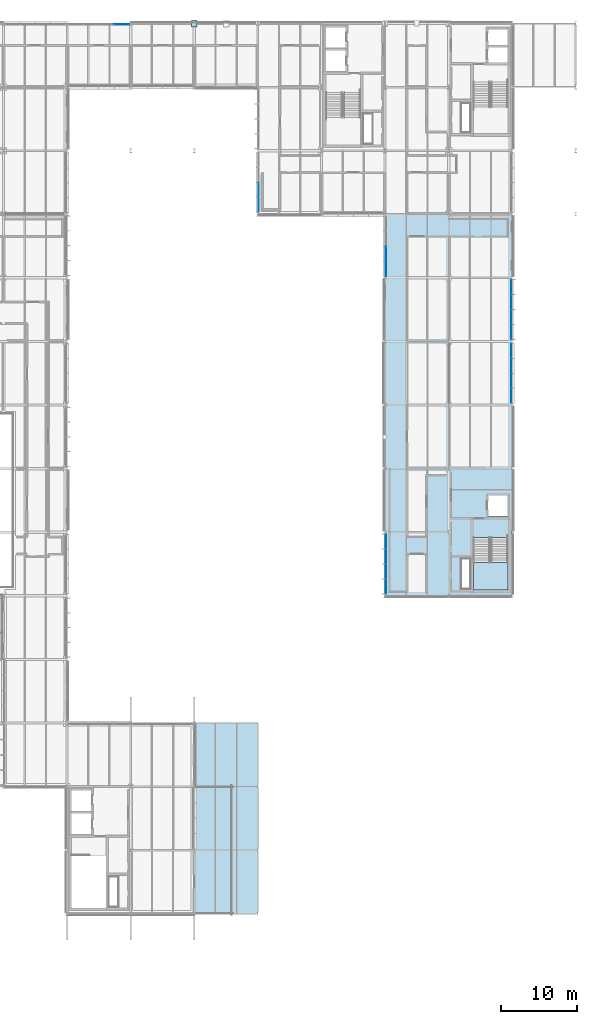
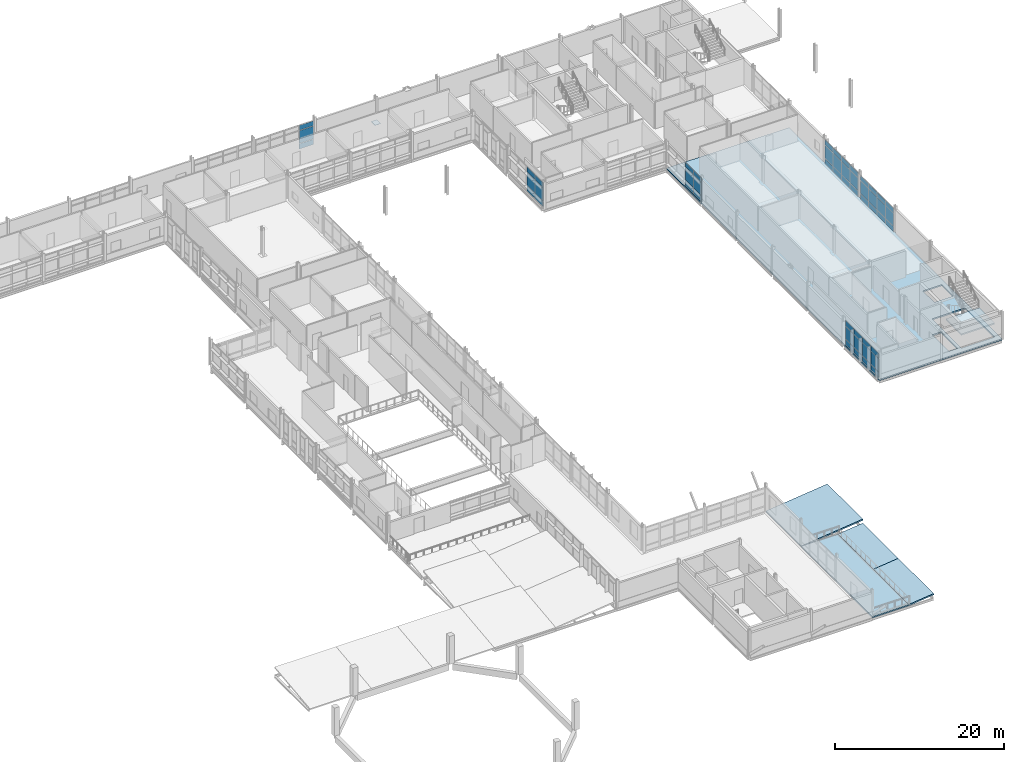
# One storey, part 102 of 131: 52 plates, 6 slabs, 7 elements without a shape of their own.
"""IFC4 building model written with IfcOpenShell, lengths in metres."""

from ifc_helpers import new_model, si_unit, direction, frame, origin, origin_2d, place, context, subcontext, project, spatial, polyline, rectangle, outline, extrude, material, layer, layer_set, type_object, element, aggregate, save


model = new_model("IFC4")

# Units and contexts
model_context = context("Model", 3, precision=1e-05, world=origin(), true_north=direction((0.0, 1.0)))
body_context = subcontext(model_context, "Body", "Model", "MODEL_VIEW")
ifc_project = project(units=[si_unit("LENGTHUNIT", "METRE"), si_unit("AREAUNIT", "SQUARE_METRE"), si_unit("VOLUMEUNIT", "CUBIC_METRE"), si_unit("PLANEANGLEUNIT", "RADIAN"), si_unit("MASSUNIT", "GRAM", prefix="KILO")], contexts=[model_context])

# Site, building, storey
site_placement = place(None, origin())
site = spatial("IfcSite", under=ifc_project, at=site_placement, CompositionType="ELEMENT")
building_placement = place(site_placement, origin())
building = spatial("IfcBuilding", under=site, at=building_placement, Name="Mersafa Astral City Hall", CompositionType="ELEMENT")
storey_placement = place(building_placement, frame((0.0, 0.0, 13.949951171875)))
storey = spatial("IfcBuildingStorey", under=building, at=storey_placement, Name="L03", CompositionType="ELEMENT", Elevation=13.949951171875)

# Curtain wall, plates
ifc_material_1 = material(Name="Anodised bronze aluminium framing", Category="aluminium")
curtain_wall_type_1 = type_object("IfcCurtainWallType", Name="ENV-CW-3", PredefinedType="USERDEFINED", material=ifc_material_1)
curtain_wall_1_placement = place(storey_placement, origin())
curtain_wall_1 = element("IfcCurtainWall", 1, at=curtain_wall_1_placement, inside=storey, type_object=curtain_wall_type_1, Name="L03 Unitised solar curtain wall 164", ObjectType="UNITISED CURTAIN WALL", PredefinedType="USERDEFINED")
ifc_material_2 = material(Name="Solar control low-e double glazing", Category="glass")
ifc_layer_1 = layer(ifc_material_2, 0.028076171875, Name="Solar control low-e double glazing")
ifc_layer_set_1 = layer_set([ifc_layer_1], Name="Solar control low-e double glazing — ENV-CW-PNL-GLZ-1")
plate_type_1 = type_object("IfcPlateType", Name="ENV-CW-PNL-GLZ-1", PredefinedType="CURTAIN_PANEL", material=ifc_layer_set_1)
plate_1_placement = place(storey_placement, frame((159.719970703125, 57.575927734375, 0.05810546875), z_axis=(0.0, 0.0, 1.0), x_axis=(0.0, -1.0, 0.0)))
plate_1 = element("IfcPlate", 2, at=plate_1_placement, type_object=plate_type_1, Name="CW-3 panel 1.1", PredefinedType="CURTAIN_PANEL", context=body_context, shape_type="SweptSolid", body=[
    extrude(rectangle(XDim=1.904052734375, YDim=0.028076171875, at=origin_2d()), origin(), (0.0, 0.0, 1.0), 0.761962890625),
])
plate_2_placement = place(storey_placement, frame((159.719970703125, 57.575927734375, 0.8798828125), z_axis=(0.0, 0.0, 1.0), x_axis=(0.0, -1.0, 0.0)))
plate_2 = element("IfcPlate", 3, at=plate_2_placement, type_object=plate_type_1, Name="CW-3 panel 1.2", PredefinedType="CURTAIN_PANEL", context=body_context, shape_type="SweptSolid", body=[
    extrude(rectangle(XDim=1.904052734375, YDim=0.028076171875, at=origin_2d()), origin(), (0.0, 0.0, 1.0), 1.840087890625),
])
plate_3_placement = place(storey_placement, frame((159.719970703125, 57.575927734375, 2.780029296875), z_axis=(0.0, 0.0, 1.0), x_axis=(0.0, -1.0, 0.0)))
plate_3 = element("IfcPlate", 4, at=plate_3_placement, type_object=plate_type_1, Name="CW-3 panel 1.3", PredefinedType="CURTAIN_PANEL", context=body_context, shape_type="SweptSolid", body=[
    extrude(rectangle(XDim=1.904052734375, YDim=0.028076171875, at=origin_2d()), origin(), (0.0, 0.0, 1.0), 0.751953125),
])
plate_4_placement = place(storey_placement, frame((159.719970703125, 55.596923828125, 0.05810546875), z_axis=(0.0, 0.0, 1.0), x_axis=(0.0, -1.0, 0.0)))
plate_4 = element("IfcPlate", 5, at=plate_4_placement, type_object=plate_type_1, Name="CW-3 panel 2.1", PredefinedType="CURTAIN_PANEL", context=body_context, shape_type="SweptSolid", body=[
    extrude(rectangle(XDim=1.93408203125, YDim=0.028076171875, at=origin_2d()), origin(), (0.0, 0.0, 1.0), 0.761962890625),
])
plate_5_placement = place(storey_placement, frame((159.719970703125, 55.596923828125, 0.8798828125), z_axis=(0.0, 0.0, 1.0), x_axis=(0.0, -1.0, 0.0)))
plate_5 = element("IfcPlate", 6, at=plate_5_placement, type_object=plate_type_1, Name="CW-3 panel 2.2", PredefinedType="CURTAIN_PANEL", context=body_context, shape_type="SweptSolid", body=[
    extrude(rectangle(XDim=1.93408203125, YDim=0.028076171875, at=origin_2d()), origin(), (0.0, 0.0, 1.0), 1.840087890625),
])
plate_6_placement = place(storey_placement, frame((159.719970703125, 55.596923828125, 2.780029296875), z_axis=(0.0, 0.0, 1.0), x_axis=(0.0, -1.0, 0.0)))
plate_6 = element("IfcPlate", 7, at=plate_6_placement, type_object=plate_type_1, Name="CW-3 panel 2.3", PredefinedType="CURTAIN_PANEL", context=body_context, shape_type="SweptSolid", body=[
    extrude(rectangle(XDim=1.93408203125, YDim=0.028076171875, at=origin_2d()), origin(), (0.0, 0.0, 1.0), 0.751953125),
])
plate_7_placement = place(storey_placement, frame((159.719970703125, 53.60302734375, 0.05810546875), z_axis=(0.0, 0.0, 1.0), x_axis=(0.0, -1.0, 0.0)))
plate_7 = element("IfcPlate", 8, at=plate_7_placement, type_object=plate_type_1, Name="CW-3 panel 3.1", PredefinedType="CURTAIN_PANEL", context=body_context, shape_type="SweptSolid", body=[
    extrude(rectangle(XDim=1.93408203125, YDim=0.028076171875, at=origin_2d()), origin(), (0.0, 0.0, 1.0), 0.761962890625),
])
plate_8_placement = place(storey_placement, frame((159.719970703125, 53.60302734375, 0.8798828125), z_axis=(0.0, 0.0, 1.0), x_axis=(0.0, -1.0, 0.0)))
plate_8 = element("IfcPlate", 9, at=plate_8_placement, type_object=plate_type_1, Name="CW-3 panel 3.2", PredefinedType="CURTAIN_PANEL", context=body_context, shape_type="SweptSolid", body=[
    extrude(rectangle(XDim=1.93408203125, YDim=0.028076171875, at=origin_2d()), origin(), (0.0, 0.0, 1.0), 1.840087890625),
])
plate_9_placement = place(storey_placement, frame((159.719970703125, 53.60302734375, 2.780029296875), z_axis=(0.0, 0.0, 1.0), x_axis=(0.0, -1.0, 0.0)))
plate_9 = element("IfcPlate", 10, at=plate_9_placement, type_object=plate_type_1, Name="CW-3 panel 3.3", PredefinedType="CURTAIN_PANEL", context=body_context, shape_type="SweptSolid", body=[
    extrude(rectangle(XDim=1.93408203125, YDim=0.028076171875, at=origin_2d()), origin(), (0.0, 0.0, 1.0), 0.751953125),
])
plate_10_placement = place(storey_placement, frame((159.719970703125, 51.6240234375, 0.05810546875), z_axis=(0.0, 0.0, 1.0), x_axis=(0.0, -1.0, 0.0)))
plate_10 = element("IfcPlate", 11, at=plate_10_placement, type_object=plate_type_1, Name="CW-3 panel 4.1", PredefinedType="CURTAIN_PANEL", context=body_context, shape_type="SweptSolid", body=[
    extrude(rectangle(XDim=1.904052734375, YDim=0.028076171875, at=origin_2d()), origin(), (0.0, 0.0, 1.0), 0.761962890625),
])
plate_11_placement = place(storey_placement, frame((159.719970703125, 51.6240234375, 0.8798828125), z_axis=(0.0, 0.0, 1.0), x_axis=(0.0, -1.0, 0.0)))
plate_11 = element("IfcPlate", 12, at=plate_11_placement, type_object=plate_type_1, Name="CW-3 panel 4.2", PredefinedType="CURTAIN_PANEL", context=body_context, shape_type="SweptSolid", body=[
    extrude(rectangle(XDim=1.904052734375, YDim=0.028076171875, at=origin_2d()), origin(), (0.0, 0.0, 1.0), 1.840087890625),
])
plate_12_placement = place(storey_placement, frame((159.719970703125, 51.6240234375, 2.780029296875), z_axis=(0.0, 0.0, 1.0), x_axis=(0.0, -1.0, 0.0)))
plate_12 = element("IfcPlate", 13, at=plate_12_placement, type_object=plate_type_1, Name="CW-3 panel 4.3", PredefinedType="CURTAIN_PANEL", context=body_context, shape_type="SweptSolid", body=[
    extrude(rectangle(XDim=1.904052734375, YDim=0.028076171875, at=origin_2d()), origin(), (0.0, 0.0, 1.0), 0.751953125),
])
aggregate(curtain_wall_1, [plate_1, plate_2, plate_3, plate_4, plate_5, plate_6, plate_7, plate_8, plate_9, plate_10, plate_11, plate_12])

curtain_wall_type_2 = type_object("IfcCurtainWallType", Name="ENV-CW-1", PredefinedType="USERDEFINED", material=ifc_material_1)
curtain_wall_2_placement = place(storey_placement, origin())
curtain_wall_2 = element("IfcCurtainWall", 14, at=curtain_wall_2_placement, inside=storey, type_object=curtain_wall_type_2, Name="L03 Unitised solar curtain wall 168", ObjectType="UNITISED CURTAIN WALL", PredefinedType="USERDEFINED")
plate_13_placement = place(storey_placement, frame((124.8134765625, 125.8798828125, 0.05810546875), z_axis=(0.0, 0.0, 1.0), x_axis=(-1.0, 0.0, 0.0)))
plate_13 = element("IfcPlate", 15, at=plate_13_placement, type_object=plate_type_1, Name="CW-1 panel 1.1", PredefinedType="CURTAIN_PANEL", context=body_context, shape_type="SweptSolid", body=[
    extrude(rectangle(XDim=1.928955078125, YDim=0.028076171875, at=origin_2d()), origin(), (0.0, 0.0, 1.0), 0.761962890625),
])
plate_14_placement = place(storey_placement, frame((124.8134765625, 125.8798828125, 0.8798828125), z_axis=(0.0, 0.0, 1.0), x_axis=(-1.0, 0.0, 0.0)))
plate_14 = element("IfcPlate", 16, at=plate_14_placement, type_object=plate_type_1, Name="CW-1 panel 1.2", PredefinedType="CURTAIN_PANEL", context=body_context, shape_type="SweptSolid", body=[
    extrude(rectangle(XDim=1.928955078125, YDim=0.028076171875, at=origin_2d()), origin(), (0.0, 0.0, 1.0), 1.840087890625),
])
plate_15_placement = place(storey_placement, frame((124.8134765625, 125.8798828125, 2.780029296875), z_axis=(0.0, 0.0, 1.0), x_axis=(-1.0, 0.0, 0.0)))
plate_15 = element("IfcPlate", 17, at=plate_15_placement, type_object=plate_type_1, Name="CW-1 panel 1.3", PredefinedType="CURTAIN_PANEL", context=body_context, shape_type="SweptSolid", body=[
    extrude(rectangle(XDim=1.928955078125, YDim=0.028076171875, at=origin_2d()), origin(), (0.0, 0.0, 1.0), 0.69189453125),
])
aggregate(curtain_wall_2, [plate_13, plate_14, plate_15])

curtain_wall_type_3 = type_object("IfcCurtainWallType", Name="ENV-CW-6", PredefinedType="USERDEFINED", material=ifc_material_1)
curtain_wall_3_placement = place(storey_placement, origin())
curtain_wall_3 = element("IfcCurtainWall", 18, at=curtain_wall_3_placement, inside=storey, type_object=curtain_wall_type_3, Name="L03 Unitised solar curtain wall 161", ObjectType="UNITISED CURTAIN WALL", PredefinedType="USERDEFINED")
ifc_layer_2 = layer(ifc_material_2, 0.031982421875, Name="Solar control low-e double glazing")
ifc_layer_set_2 = layer_set([ifc_layer_2], Name="Solar control low-e double glazing — ENV-CW-PNL-GLZ-2")
plate_type_2 = type_object("IfcPlateType", Name="ENV-CW-PNL-GLZ-2", PredefinedType="CURTAIN_PANEL", material=ifc_layer_set_2)
plate_16_placement = place(storey_placement, frame((142.919921875, 104.015380859375, 0.05810546875), z_axis=(0.0, 0.0, 1.0), x_axis=(0.0, -1.0, 0.0)))
plate_16 = element("IfcPlate", 19, at=plate_16_placement, type_object=plate_type_2, Name="CW-6 panel 3.1", PredefinedType="CURTAIN_PANEL", context=body_context, shape_type="SweptSolid", body=[
    extrude(rectangle(XDim=1.908935546875, YDim=0.031982421875, at=origin_2d()), origin(), (0.0, 0.0, 1.0), 0.761962890625),
])
plate_17_placement = place(storey_placement, frame((142.919921875, 104.015380859375, 0.8798828125), z_axis=(0.0, 0.0, 1.0), x_axis=(0.0, -1.0, 0.0)))
plate_17 = element("IfcPlate", 20, at=plate_17_placement, type_object=plate_type_2, Name="CW-6 panel 3.2", PredefinedType="CURTAIN_PANEL", context=body_context, shape_type="SweptSolid", body=[
    extrude(rectangle(XDim=1.908935546875, YDim=0.031982421875, at=origin_2d()), origin(), (0.0, 0.0, 1.0), 1.840087890625),
])
plate_18_placement = place(storey_placement, frame((142.919921875, 104.015380859375, 2.780029296875), z_axis=(0.0, 0.0, 1.0), x_axis=(0.0, -1.0, 0.0)))
plate_18 = element("IfcPlate", 21, at=plate_18_placement, type_object=plate_type_2, Name="CW-6 panel 3.3", PredefinedType="CURTAIN_PANEL", context=body_context, shape_type="SweptSolid", body=[
    extrude(rectangle(XDim=1.908935546875, YDim=0.031982421875, at=origin_2d()), origin(), (0.0, 0.0, 1.0), 0.751953125),
])
plate_19_placement = place(storey_placement, frame((142.919921875, 102.0615234375, 0.05810546875), z_axis=(0.0, 0.0, 1.0), x_axis=(0.0, -1.0, 0.0)))
plate_19 = element("IfcPlate", 22, at=plate_19_placement, type_object=plate_type_2, Name="CW-6 panel 4.1", PredefinedType="CURTAIN_PANEL", context=body_context, shape_type="SweptSolid", body=[
    extrude(rectangle(XDim=1.87890625, YDim=0.031982421875, at=origin_2d()), origin(), (0.0, 0.0, 1.0), 0.761962890625),
])
plate_20_placement = place(storey_placement, frame((142.919921875, 102.0615234375, 0.8798828125), z_axis=(0.0, 0.0, 1.0), x_axis=(0.0, -1.0, 0.0)))
plate_20 = element("IfcPlate", 23, at=plate_20_placement, type_object=plate_type_2, Name="CW-6 panel 4.2", PredefinedType="CURTAIN_PANEL", context=body_context, shape_type="SweptSolid", body=[
    extrude(rectangle(XDim=1.87890625, YDim=0.031982421875, at=origin_2d()), origin(), (0.0, 0.0, 1.0), 1.840087890625),
])
plate_21_placement = place(storey_placement, frame((142.919921875, 102.0615234375, 2.780029296875), z_axis=(0.0, 0.0, 1.0), x_axis=(0.0, -1.0, 0.0)))
plate_21 = element("IfcPlate", 24, at=plate_21_placement, type_object=plate_type_2, Name="CW-6 panel 4.3", PredefinedType="CURTAIN_PANEL", context=body_context, shape_type="SweptSolid", body=[
    extrude(rectangle(XDim=1.87890625, YDim=0.031982421875, at=origin_2d()), origin(), (0.0, 0.0, 1.0), 0.751953125),
])
aggregate(curtain_wall_3, [plate_16, plate_17, plate_18, plate_19, plate_20, plate_21])

curtain_wall_type_4 = type_object("IfcCurtainWallType", Name="ENV-CW-4", PredefinedType="USERDEFINED", material=ifc_material_1)
curtain_wall_4_placement = place(storey_placement, origin())
curtain_wall_4 = element("IfcCurtainWall", 25, at=curtain_wall_4_placement, inside=storey, type_object=curtain_wall_type_4, Name="L03 Unitised solar curtain wall 165", ObjectType="UNITISED CURTAIN WALL", PredefinedType="USERDEFINED")
plate_22_placement = place(storey_placement, frame((176.280029296875, 76.823974609375, 0.05810546875), z_axis=(0.0, 0.0, 1.0), x_axis=(0.0, 1.0, 0.0)))
plate_22 = element("IfcPlate", 26, at=plate_22_placement, type_object=plate_type_2, Name="CW-4 panel 1.1", PredefinedType="CURTAIN_PANEL", context=body_context, shape_type="SweptSolid", body=[
    extrude(rectangle(XDim=1.904052734375, YDim=0.031982421875, at=origin_2d()), origin(), (0.0, 0.0, 1.0), 0.761962890625),
])
plate_23_placement = place(storey_placement, frame((176.280029296875, 76.823974609375, 0.8798828125), z_axis=(0.0, 0.0, 1.0), x_axis=(0.0, 1.0, 0.0)))
plate_23 = element("IfcPlate", 27, at=plate_23_placement, type_object=plate_type_2, Name="CW-4 panel 1.2", PredefinedType="CURTAIN_PANEL", context=body_context, shape_type="SweptSolid", body=[
    extrude(rectangle(XDim=1.904052734375, YDim=0.031982421875, at=origin_2d()), origin(), (0.0, 0.0, 1.0), 1.840087890625),
])
plate_24_placement = place(storey_placement, frame((176.280029296875, 76.823974609375, 2.780029296875), z_axis=(0.0, 0.0, 1.0), x_axis=(0.0, 1.0, 0.0)))
plate_24 = element("IfcPlate", 28, at=plate_24_placement, type_object=plate_type_2, Name="CW-4 panel 1.3", PredefinedType="CURTAIN_PANEL", context=body_context, shape_type="SweptSolid", body=[
    extrude(rectangle(XDim=1.904052734375, YDim=0.031982421875, at=origin_2d()), origin(), (0.0, 0.0, 1.0), 0.662109375),
])
plate_25_placement = place(storey_placement, frame((176.280029296875, 78.802978515625, 0.05810546875), z_axis=(0.0, 0.0, 1.0), x_axis=(0.0, 1.0, 0.0)))
plate_25 = element("IfcPlate", 29, at=plate_25_placement, type_object=plate_type_2, Name="CW-4 panel 2.1", PredefinedType="CURTAIN_PANEL", context=body_context, shape_type="SweptSolid", body=[
    extrude(rectangle(XDim=1.93408203125, YDim=0.031982421875, at=origin_2d()), origin(), (0.0, 0.0, 1.0), 0.761962890625),
])
plate_26_placement = place(storey_placement, frame((176.280029296875, 78.802978515625, 0.8798828125), z_axis=(0.0, 0.0, 1.0), x_axis=(0.0, 1.0, 0.0)))
plate_26 = element("IfcPlate", 30, at=plate_26_placement, type_object=plate_type_2, Name="CW-4 panel 2.2", PredefinedType="CURTAIN_PANEL", context=body_context, shape_type="SweptSolid", body=[
    extrude(rectangle(XDim=1.93408203125, YDim=0.031982421875, at=origin_2d()), origin(), (0.0, 0.0, 1.0), 1.840087890625),
])
plate_27_placement = place(storey_placement, frame((176.280029296875, 78.802978515625, 2.780029296875), z_axis=(0.0, 0.0, 1.0), x_axis=(0.0, 1.0, 0.0)))
plate_27 = element("IfcPlate", 31, at=plate_27_placement, type_object=plate_type_2, Name="CW-4 panel 2.3", PredefinedType="CURTAIN_PANEL", context=body_context, shape_type="SweptSolid", body=[
    extrude(rectangle(XDim=1.93408203125, YDim=0.031982421875, at=origin_2d()), origin(), (0.0, 0.0, 1.0), 0.662109375),
])
plate_28_placement = place(storey_placement, frame((176.280029296875, 80.797119140625, 0.05810546875), z_axis=(0.0, 0.0, 1.0), x_axis=(0.0, 1.0, 0.0)))
plate_28 = element("IfcPlate", 32, at=plate_28_placement, type_object=plate_type_2, Name="CW-4 panel 3.1", PredefinedType="CURTAIN_PANEL", context=body_context, shape_type="SweptSolid", body=[
    extrude(rectangle(XDim=1.93408203125, YDim=0.031982421875, at=origin_2d()), origin(), (0.0, 0.0, 1.0), 0.761962890625),
])
plate_29_placement = place(storey_placement, frame((176.280029296875, 80.797119140625, 0.8798828125), z_axis=(0.0, 0.0, 1.0), x_axis=(0.0, 1.0, 0.0)))
plate_29 = element("IfcPlate", 33, at=plate_29_placement, type_object=plate_type_2, Name="CW-4 panel 3.2", PredefinedType="CURTAIN_PANEL", context=body_context, shape_type="SweptSolid", body=[
    extrude(rectangle(XDim=1.93408203125, YDim=0.031982421875, at=origin_2d()), origin(), (0.0, 0.0, 1.0), 1.840087890625),
])
plate_30_placement = place(storey_placement, frame((176.280029296875, 80.797119140625, 2.780029296875), z_axis=(0.0, 0.0, 1.0), x_axis=(0.0, 1.0, 0.0)))
plate_30 = element("IfcPlate", 34, at=plate_30_placement, type_object=plate_type_2, Name="CW-4 panel 3.3", PredefinedType="CURTAIN_PANEL", context=body_context, shape_type="SweptSolid", body=[
    extrude(rectangle(XDim=1.93408203125, YDim=0.031982421875, at=origin_2d()), origin(), (0.0, 0.0, 1.0), 0.662109375),
])
plate_31_placement = place(storey_placement, frame((176.280029296875, 82.77587890625, 0.05810546875), z_axis=(0.0, 0.0, 1.0), x_axis=(0.0, 1.0, 0.0)))
plate_31 = element("IfcPlate", 35, at=plate_31_placement, type_object=plate_type_2, Name="CW-4 panel 4.1", PredefinedType="CURTAIN_PANEL", context=body_context, shape_type="SweptSolid", body=[
    extrude(rectangle(XDim=1.904052734375, YDim=0.031982421875, at=origin_2d()), origin(), (0.0, 0.0, 1.0), 0.761962890625),
])
plate_32_placement = place(storey_placement, frame((176.280029296875, 82.77587890625, 0.8798828125), z_axis=(0.0, 0.0, 1.0), x_axis=(0.0, 1.0, 0.0)))
plate_32 = element("IfcPlate", 36, at=plate_32_placement, type_object=plate_type_2, Name="CW-4 panel 4.2", PredefinedType="CURTAIN_PANEL", context=body_context, shape_type="SweptSolid", body=[
    extrude(rectangle(XDim=1.904052734375, YDim=0.031982421875, at=origin_2d()), origin(), (0.0, 0.0, 1.0), 1.840087890625),
])
plate_33_placement = place(storey_placement, frame((176.280029296875, 82.77587890625, 2.780029296875), z_axis=(0.0, 0.0, 1.0), x_axis=(0.0, 1.0, 0.0)))
plate_33 = element("IfcPlate", 37, at=plate_33_placement, type_object=plate_type_2, Name="CW-4 panel 4.3", PredefinedType="CURTAIN_PANEL", context=body_context, shape_type="SweptSolid", body=[
    extrude(rectangle(XDim=1.904052734375, YDim=0.031982421875, at=origin_2d()), origin(), (0.0, 0.0, 1.0), 0.662109375),
])
aggregate(curtain_wall_4, [plate_22, plate_23, plate_24, plate_25, plate_26, plate_27, plate_28, plate_29, plate_30, plate_31, plate_32, plate_33])

curtain_wall_type_5 = type_object("IfcCurtainWallType", Name="ENV-CW-5", PredefinedType="USERDEFINED", material=ifc_material_1)
curtain_wall_5_placement = place(storey_placement, origin())
curtain_wall_5 = element("IfcCurtainWall", 38, at=curtain_wall_5_placement, inside=storey, type_object=curtain_wall_type_5, Name="L03 Unitised solar curtain wall 166", ObjectType="UNITISED CURTAIN WALL", PredefinedType="USERDEFINED")
ifc_layer_3 = layer(ifc_material_2, 0.035888671875, Name="Solar control low-e double glazing")
ifc_layer_set_3 = layer_set([ifc_layer_3], Name="Solar control low-e double glazing — ENV-CW-PNL-GLZ-3")
plate_type_3 = type_object("IfcPlateType", Name="ENV-CW-PNL-GLZ-3", PredefinedType="CURTAIN_PANEL", material=ifc_layer_set_3)
plate_34_placement = place(storey_placement, frame((176.280029296875, 85.22412109375, 0.05810546875), z_axis=(0.0, 0.0, 1.0), x_axis=(0.0, 1.0, 0.0)))
plate_34 = element("IfcPlate", 39, at=plate_34_placement, type_object=plate_type_3, Name="CW-5 panel 1.1", PredefinedType="CURTAIN_PANEL", context=body_context, shape_type="SweptSolid", body=[
    extrude(rectangle(XDim=1.904052734375, YDim=0.035888671875, at=origin_2d()), origin(), (0.0, 0.0, 1.0), 0.761962890625),
])
plate_35_placement = place(storey_placement, frame((176.280029296875, 85.22412109375, 0.8798828125), z_axis=(0.0, 0.0, 1.0), x_axis=(0.0, 1.0, 0.0)))
plate_35 = element("IfcPlate", 40, at=plate_35_placement, type_object=plate_type_3, Name="CW-5 panel 1.2", PredefinedType="CURTAIN_PANEL", context=body_context, shape_type="SweptSolid", body=[
    extrude(rectangle(XDim=1.904052734375, YDim=0.035888671875, at=origin_2d()), origin(), (0.0, 0.0, 1.0), 1.840087890625),
])
plate_36_placement = place(storey_placement, frame((176.280029296875, 85.22412109375, 2.780029296875), z_axis=(0.0, 0.0, 1.0), x_axis=(0.0, 1.0, 0.0)))
plate_36 = element("IfcPlate", 41, at=plate_36_placement, type_object=plate_type_3, Name="CW-5 panel 1.3", PredefinedType="CURTAIN_PANEL", context=body_context, shape_type="SweptSolid", body=[
    extrude(rectangle(XDim=1.904052734375, YDim=0.035888671875, at=origin_2d()), origin(), (0.0, 0.0, 1.0), 0.751953125),
])
plate_37_placement = place(storey_placement, frame((176.280029296875, 87.202880859375, 0.05810546875), z_axis=(0.0, 0.0, 1.0), x_axis=(0.0, 1.0, 0.0)))
plate_37 = element("IfcPlate", 42, at=plate_37_placement, type_object=plate_type_3, Name="CW-5 panel 2.1", PredefinedType="CURTAIN_PANEL", context=body_context, shape_type="SweptSolid", body=[
    extrude(rectangle(XDim=1.93408203125, YDim=0.035888671875, at=origin_2d()), origin(), (0.0, 0.0, 1.0), 0.761962890625),
])
plate_38_placement = place(storey_placement, frame((176.280029296875, 87.202880859375, 0.8798828125), z_axis=(0.0, 0.0, 1.0), x_axis=(0.0, 1.0, 0.0)))
plate_38 = element("IfcPlate", 43, at=plate_38_placement, type_object=plate_type_3, Name="CW-5 panel 2.2", PredefinedType="CURTAIN_PANEL", context=body_context, shape_type="SweptSolid", body=[
    extrude(rectangle(XDim=1.93408203125, YDim=0.035888671875, at=origin_2d()), origin(), (0.0, 0.0, 1.0), 1.840087890625),
])
plate_39_placement = place(storey_placement, frame((176.280029296875, 87.202880859375, 2.780029296875), z_axis=(0.0, 0.0, 1.0), x_axis=(0.0, 1.0, 0.0)))
plate_39 = element("IfcPlate", 44, at=plate_39_placement, type_object=plate_type_3, Name="CW-5 panel 2.3", PredefinedType="CURTAIN_PANEL", context=body_context, shape_type="SweptSolid", body=[
    extrude(rectangle(XDim=1.93408203125, YDim=0.035888671875, at=origin_2d()), origin(), (0.0, 0.0, 1.0), 0.751953125),
])
plate_40_placement = place(storey_placement, frame((176.280029296875, 89.197021484375, 0.05810546875), z_axis=(0.0, 0.0, 1.0), x_axis=(0.0, 1.0, 0.0)))
plate_40 = element("IfcPlate", 45, at=plate_40_placement, type_object=plate_type_3, Name="CW-5 panel 3.1", PredefinedType="CURTAIN_PANEL", context=body_context, shape_type="SweptSolid", body=[
    extrude(rectangle(XDim=1.93408203125, YDim=0.035888671875, at=origin_2d()), origin(), (0.0, 0.0, 1.0), 0.761962890625),
])
plate_41_placement = place(storey_placement, frame((176.280029296875, 89.197021484375, 0.8798828125), z_axis=(0.0, 0.0, 1.0), x_axis=(0.0, 1.0, 0.0)))
plate_41 = element("IfcPlate", 46, at=plate_41_placement, type_object=plate_type_3, Name="CW-5 panel 3.2", PredefinedType="CURTAIN_PANEL", context=body_context, shape_type="SweptSolid", body=[
    extrude(rectangle(XDim=1.93408203125, YDim=0.035888671875, at=origin_2d()), origin(), (0.0, 0.0, 1.0), 1.840087890625),
])
plate_42_placement = place(storey_placement, frame((176.280029296875, 89.197021484375, 2.780029296875), z_axis=(0.0, 0.0, 1.0), x_axis=(0.0, 1.0, 0.0)))
plate_42 = element("IfcPlate", 47, at=plate_42_placement, type_object=plate_type_3, Name="CW-5 panel 3.3", PredefinedType="CURTAIN_PANEL", context=body_context, shape_type="SweptSolid", body=[
    extrude(rectangle(XDim=1.93408203125, YDim=0.035888671875, at=origin_2d()), origin(), (0.0, 0.0, 1.0), 0.751953125),
])
plate_43_placement = place(storey_placement, frame((176.280029296875, 91.176025390625, 0.05810546875), z_axis=(0.0, 0.0, 1.0), x_axis=(0.0, 1.0, 0.0)))
plate_43 = element("IfcPlate", 48, at=plate_43_placement, type_object=plate_type_3, Name="CW-5 panel 4.1", PredefinedType="CURTAIN_PANEL", context=body_context, shape_type="SweptSolid", body=[
    extrude(rectangle(XDim=1.904052734375, YDim=0.035888671875, at=origin_2d()), origin(), (0.0, 0.0, 1.0), 0.761962890625),
])
plate_44_placement = place(storey_placement, frame((176.280029296875, 91.176025390625, 0.8798828125), z_axis=(0.0, 0.0, 1.0), x_axis=(0.0, 1.0, 0.0)))
plate_44 = element("IfcPlate", 49, at=plate_44_placement, type_object=plate_type_3, Name="CW-5 panel 4.2", PredefinedType="CURTAIN_PANEL", context=body_context, shape_type="SweptSolid", body=[
    extrude(rectangle(XDim=1.904052734375, YDim=0.035888671875, at=origin_2d()), origin(), (0.0, 0.0, 1.0), 1.840087890625),
])
plate_45_placement = place(storey_placement, frame((176.280029296875, 91.176025390625, 2.780029296875), z_axis=(0.0, 0.0, 1.0), x_axis=(0.0, 1.0, 0.0)))
plate_45 = element("IfcPlate", 50, at=plate_45_placement, type_object=plate_type_3, Name="CW-5 panel 4.3", PredefinedType="CURTAIN_PANEL", context=body_context, shape_type="SweptSolid", body=[
    extrude(rectangle(XDim=1.904052734375, YDim=0.035888671875, at=origin_2d()), origin(), (0.0, 0.0, 1.0), 0.751953125),
])
aggregate(curtain_wall_5, [plate_34, plate_35, plate_36, plate_37, plate_38, plate_39, plate_40, plate_41, plate_42, plate_43, plate_44, plate_45])

curtain_wall_type_6 = type_object("IfcCurtainWallType", Name="ENV-CW-2", PredefinedType="USERDEFINED", material=ifc_material_1)
curtain_wall_6_placement = place(storey_placement, origin())
curtain_wall_6 = element("IfcCurtainWall", 51, at=curtain_wall_6_placement, inside=storey, type_object=curtain_wall_type_6, Name="L03 Unitised solar curtain wall 163", ObjectType="UNITISED CURTAIN WALL", PredefinedType="USERDEFINED")
ifc_layer_4 = layer(ifc_material_2, 0.0400390625, Name="Solar control low-e double glazing")
ifc_layer_set_4 = layer_set([ifc_layer_4], Name="Solar control low-e double glazing — ENV-CW-PNL-GLZ-4")
plate_type_4 = type_object("IfcPlateType", Name="ENV-CW-PNL-GLZ-4", PredefinedType="CURTAIN_PANEL", material=ifc_layer_set_4)
plate_46_placement = place(storey_placement, frame((159.719970703125, 95.552978515625, 0.05810546875), z_axis=(0.0, 0.0, 1.0), x_axis=(0.0, -1.0, 0.0)))
plate_46 = element("IfcPlate", 52, at=plate_46_placement, type_object=plate_type_4, Name="CW-2 panel 3.1", PredefinedType="CURTAIN_PANEL", context=body_context, shape_type="SweptSolid", body=[
    extrude(rectangle(XDim=1.93408203125, YDim=0.0400390625, at=origin_2d()), origin(), (0.0, 0.0, 1.0), 0.761962890625),
])
plate_47_placement = place(storey_placement, frame((159.719970703125, 95.552978515625, 0.8798828125), z_axis=(0.0, 0.0, 1.0), x_axis=(0.0, -1.0, 0.0)))
plate_47 = element("IfcPlate", 53, at=plate_47_placement, type_object=plate_type_4, Name="CW-2 panel 3.2", PredefinedType="CURTAIN_PANEL", context=body_context, shape_type="SweptSolid", body=[
    extrude(rectangle(XDim=1.93408203125, YDim=0.0400390625, at=origin_2d()), origin(), (0.0, 0.0, 1.0), 1.840087890625),
])
plate_48_placement = place(storey_placement, frame((159.719970703125, 95.552978515625, 2.780029296875), z_axis=(0.0, 0.0, 1.0), x_axis=(0.0, -1.0, 0.0)))
plate_48 = element("IfcPlate", 54, at=plate_48_placement, type_object=plate_type_4, Name="CW-2 panel 3.3", PredefinedType="CURTAIN_PANEL", context=body_context, shape_type="SweptSolid", body=[
    extrude(rectangle(XDim=1.93408203125, YDim=0.0400390625, at=origin_2d()), origin(), (0.0, 0.0, 1.0), 0.64697265625),
])
plate_49_placement = place(storey_placement, frame((159.719970703125, 93.573974609375, 0.05810546875), z_axis=(0.0, 0.0, 1.0), x_axis=(0.0, -1.0, 0.0)))
plate_49 = element("IfcPlate", 55, at=plate_49_placement, type_object=plate_type_4, Name="CW-2 panel 4.1", PredefinedType="CURTAIN_PANEL", context=body_context, shape_type="SweptSolid", body=[
    extrude(rectangle(XDim=1.904052734375, YDim=0.0400390625, at=origin_2d()), origin(), (0.0, 0.0, 1.0), 0.761962890625),
])
plate_50_placement = place(storey_placement, frame((159.719970703125, 93.573974609375, 0.8798828125), z_axis=(0.0, 0.0, 1.0), x_axis=(0.0, -1.0, 0.0)))
plate_50 = element("IfcPlate", 56, at=plate_50_placement, type_object=plate_type_4, Name="CW-2 panel 4.2", PredefinedType="CURTAIN_PANEL", context=body_context, shape_type="SweptSolid", body=[
    extrude(rectangle(XDim=1.904052734375, YDim=0.0400390625, at=origin_2d()), origin(), (0.0, 0.0, 1.0), 1.840087890625),
])
plate_51_placement = place(storey_placement, frame((159.719970703125, 93.573974609375, 2.780029296875), z_axis=(0.0, 0.0, 1.0), x_axis=(0.0, -1.0, 0.0)))
plate_51 = element("IfcPlate", 57, at=plate_51_placement, type_object=plate_type_4, Name="CW-2 panel 4.3", PredefinedType="CURTAIN_PANEL", context=body_context, shape_type="SweptSolid", body=[
    extrude(rectangle(XDim=1.904052734375, YDim=0.0400390625, at=origin_2d()), origin(), (0.0, 0.0, 1.0), 0.64697265625),
])
aggregate(curtain_wall_6, [plate_46, plate_47, plate_48, plate_49, plate_50, plate_51])

# Stair, slab
ifc_material_3 = material(Name="Concrete C40/50", Category="concrete")
stair_type = type_object("IfcStairType", Name="STAIR", PredefinedType="HALF_TURN_STAIR", material=ifc_material_3)
stair_placement = place(storey_placement, origin())
stair = element("IfcStair", 58, at=stair_placement, inside=storey, type_object=stair_type, Name="L03 Protected Exit Stair ST4", PredefinedType="HALF_TURN_STAIR")
ifc_layer_5 = layer(ifc_material_3, 0.199951171875, Name="Concrete C40/50")
ifc_layer_set_5 = layer_set([ifc_layer_5], Name="Concrete C40/50 — STAIR-LANDING")
slab_type_1 = type_object("IfcSlabType", Name="STAIR-LANDING", PredefinedType="LANDING", material=ifc_layer_set_5)
slab_1_placement = place(storey_placement, frame((0.0, 0.0, 1.824951171875)))
slab_1 = element("IfcSlab", 59, at=slab_1_placement, type_object=slab_type_1, Name="ST4 landing 1", PredefinedType="LANDING", context=body_context, shape_type="SweptSolid", body=[
    extrude(outline(polyline([(171.260009765625, 54.800048828125), (171.260009765625, 51.14990234375), (175.820068359375, 51.14990234375), (175.820068359375, 54.800048828125), (171.260009765625, 54.800048828125)])), origin(), (0.0, 0.0, 1.0), 0.2001953125),
])
aggregate(stair, [slab_1])

# Plate
ifc_material_4 = material(Name="Steel S355", Category="steel")
ifc_layer_6 = layer(ifc_material_4, 0.027099609375, Name="Steel S355")
ifc_layer_set_6 = layer_set([ifc_layer_6], Name="Steel S355 — STR-PLT-NP-34")
plate_type_5 = type_object("IfcPlateType", Name="STR-PLT-NP-34", PredefinedType="SHEET", material=ifc_layer_set_6)
plate_52_placement = place(storey_placement, frame((134.39794921875, 126.0, 0.1064453125), z_axis=(0.0, 0.0, 1.0), x_axis=(1.0, 0.0, 0.0)))
element("IfcPlate", 60, at=plate_52_placement, inside=storey, type_object=plate_type_5, Name="L03 Structural steel brace gusset plate NP-34", PredefinedType="SHEET", context=body_context, shape_type="SweptSolid", body=[
    extrude(rectangle(XDim=0.760009765625, YDim=0.929931640625, at=origin_2d()), origin(), (0.0, 0.0, 1.0), 0.027099609375),
])

# Slabs
ifc_material_5 = material(Name="Concrete C35/45", Category="concrete")
ifc_layer_7 = layer(ifc_material_5, 0.199951171875, Name="Concrete C35/45")
ifc_layer_set_7 = layer_set([ifc_layer_7], Name="Concrete C35/45 — STR-SLAB-FLR-200")
slab_type_2 = type_object("IfcSlabType", Name="STR-SLAB-FLR-200", PredefinedType="FLOOR", material=ifc_layer_set_7)
slab_2_placement = place(storey_placement, frame((0.0, 0.0, -0.199951171875)))
element("IfcSlab", 61, at=slab_2_placement, inside=storey, type_object=slab_type_2, Name="L03 V5 structural floor slab 1", PredefinedType="FLOOR", context=body_context, shape_type="SweptSolid", body=[
    extrude(outline(polyline([(159.60009765625, 67.199951171875), (159.60009765625, 75.60009765625), (159.60009765625, 84.0), (159.60009765625, 92.39990234375), (159.60009765625, 100.800048828125), (168.0, 100.800048828125), (176.39990234375, 100.800048828125), (176.39990234375, 92.39990234375), (176.39990234375, 84.0), (176.39990234375, 75.60009765625), (176.39990234375, 67.199951171875), (176.39990234375, 58.800048828125), (176.39990234375, 50.39990234375), (168.0, 50.39990234375), (159.60009765625, 50.39990234375), (159.60009765625, 58.800048828125), (159.60009765625, 67.199951171875)]), holes=[polyline([(170.85009765625, 51.35009765625), (170.85009765625, 55.25), (169.669921875, 55.25), (169.669921875, 51.35009765625), (170.85009765625, 51.35009765625)]), polyline([(171.260009765625, 58.10009765625), (171.260009765625, 51.14990234375), (175.820068359375, 51.14990234375), (175.820068359375, 58.10009765625), (171.260009765625, 58.10009765625)]), polyline([(175.820068359375, 63.64990234375), (173.219970703125, 63.64990234375), (173.219970703125, 60.949951171875), (175.820068359375, 60.949951171875), (175.820068359375, 63.64990234375)])]), origin(), (0.0, 0.0, 1.0), 0.199951171875),
])
ifc_layer_8 = layer(ifc_material_3, 0.199951171875, Name="Concrete C40/50")
ifc_layer_set_8 = layer_set([ifc_layer_8], Name="Concrete C40/50 — STR-SLAB-ROOF-200")
slab_type_3 = type_object("IfcSlabType", Name="STR-SLAB-ROOF-200", PredefinedType="ROOF", material=ifc_layer_set_8)
slab_3_placement = place(storey_placement, frame((142.800048828125, 8.39990234375, 0.39013671875), z_axis=(-0.11426043099, 0.0, 0.993450831149), x_axis=(0.0, 1.0, 0.0)))
element("IfcSlab", 62, at=slab_3_placement, inside=storey, type_object=slab_type_3, Name="L03 Scupper-sloped wing roof slab 3-1", PredefinedType="ROOF", context=body_context, shape_type="SweptSolid", body=[
    extrude(outline(polyline([(0.0, 0.0), (8.400146484375, 0.0), (8.400146484375, 3.414451664233793), (0.0, 3.414451664233793), (0.0, 0.0)])), origin(), (0.0, 0.0, -1.0), 0.199951171875),
])
slab_4_placement = place(storey_placement, frame((142.800048828125, 16.800048828125, 0.39013671875), z_axis=(-0.11426043099, 0.0, 0.993450831149), x_axis=(0.0, 1.0, 0.0)))
element("IfcSlab", 63, at=slab_4_placement, inside=storey, type_object=slab_type_3, Name="L03 Scupper-sloped wing roof slab 3-2", PredefinedType="ROOF", context=body_context, shape_type="SweptSolid", body=[
    extrude(outline(polyline([(0.0, 0.0), (8.39990234375, 0.0), (8.39990234375, 3.414451664233793), (0.0, 3.414451664233793), (0.0, 0.0)])), origin(), (0.0, 0.0, -1.0), 0.199951171875),
])
slab_5_placement = place(storey_placement, frame((142.800048828125, 25.199951171875, 0.965087890625), z_axis=(-0.114246742985, -2.802943e-06, 0.993452405357), x_axis=(-3.20227e-07, 0.999999999996, 2.78459e-06)))
element("IfcSlab", 64, at=slab_5_placement, inside=storey, type_object=slab_type_3, Name="L03 Scupper-sloped wing roof slab 3-3", PredefinedType="ROOF", context=body_context, shape_type="SweptSolid", body=[
    extrude(outline(polyline([(0.0, 0.0), (8.400146484342002, 0.0), (8.40014648434213, 8.447399989476226), (0.008056640625094945, 8.447399989476226), (0.00805664049310362, 3.4144516639096945), (-1.318647306768523e-10, 3.4144516639096945), (0.0, 0.0)])), origin(), (0.0, 0.0, -1.0), 0.199951171875),
])
ifc_layer_9 = layer(ifc_material_5, 0.199951171875, Name="Concrete C35/45")
ifc_layer_set_9 = layer_set([ifc_layer_9], Name="Concrete C35/45 — STR-SLAB-TER-200")
slab_type_4 = type_object("IfcSlabType", Name="STR-SLAB-TER-200", PredefinedType="FLOOR", material=ifc_layer_set_9)
slab_6_placement = place(storey_placement, frame((0.0, 0.0, -0.199951171875)))
element("IfcSlab", 65, at=slab_6_placement, inside=storey, type_object=slab_type_4, Name="L03 Stepped outdoor civic terrace slab TER-L03-V3S", PredefinedType="FLOOR", context=body_context, shape_type="SweptSolid", body=[
    extrude(outline(polyline([(139.39990234375, 25.199951171875), (139.39990234375, 8.39990234375), (134.407958984375, 8.39990234375), (134.407958984375, 25.199951171875), (139.39990234375, 25.199951171875)])), origin(), (0.0, 0.0, 1.0), 0.199951171875),
])

save(model, "model.ifc")
